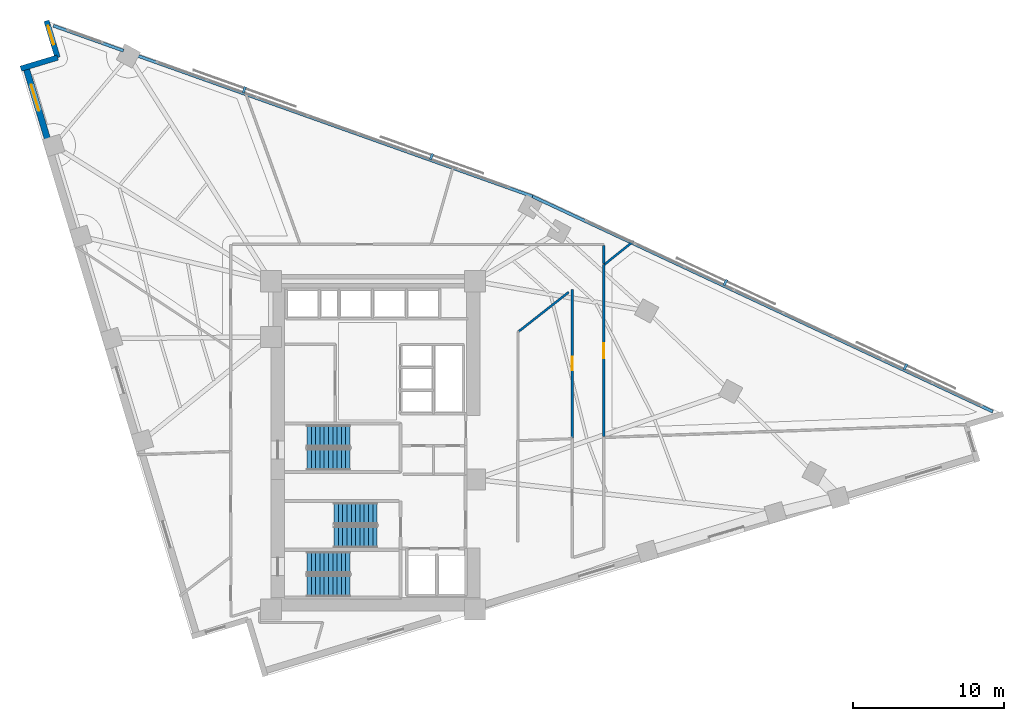
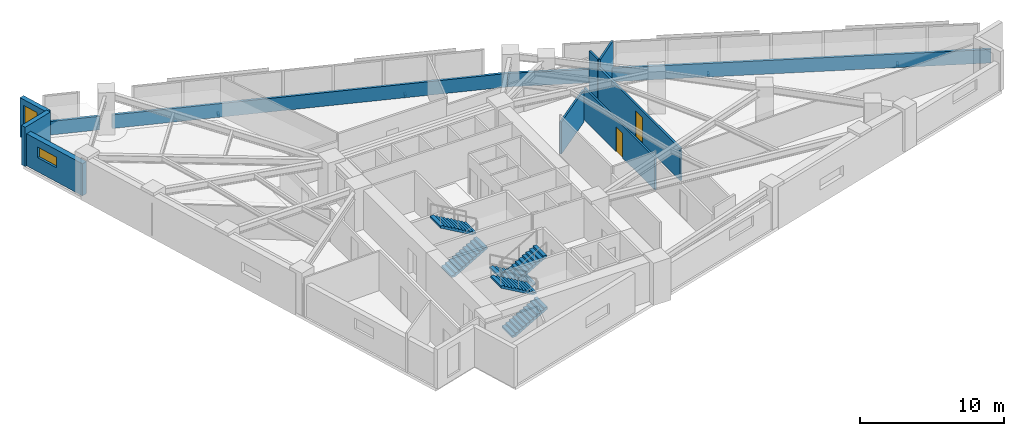
# One storey, part 13 of 15: 11 walls, 6 stair flights, 4 discrete accessories, 2 doors, 2 windows, 4 openings, 3 elements without a shape of their own.
"""IFC4 building model written with IfcOpenShell, lengths in metres."""

import ifcopenshell
import ifcopenshell.guid

model = None  # the IFC model being written
_history = None  # IfcOwnerHistory: only IFC2X3 demands one
_inside = {}  # id of a spatial element -> (the spatial element, [elements in it])
_under = {}  # id of a project, library or spatial element -> (it, [spatial elements below it])
_declared = {}  # id of a project -> (the project, [libraries it declares])
_typed = {}  # id of a type object -> (the type object, [elements of that type])
_made_of = {}  # id of a material, layer set ... -> (it, [elements and type objects made of it])


def new_model(schema):
    """Start an empty IFC model of exactly this schema.

    Asked for "IFC4X3", IfcOpenShell would pick the latest addendum, in which some entities
    have other attributes; the version numbers below select the first issue.
    IFC2X3 requires an IfcOwnerHistory on every rooted entity: one is made here for all.
    """
    global model, _history
    if schema == "IFC4X3":
        model = ifcopenshell.file(schema_version=(4, 3, 0, 0))
    else:
        model = ifcopenshell.file(schema=schema)
    _inside.clear()
    _under.clear()
    _declared.clear()
    _typed.clear()
    _made_of.clear()
    _history = None
    if model.schema == "IFC2X3":
        org = make("IfcOrganization", Name="unknown")
        user = make(
            "IfcPersonAndOrganization",
            ThePerson=make("IfcPerson", FamilyName="unknown"),
            TheOrganization=org,
        )
        app = make(
            "IfcApplication",
            ApplicationDeveloper=org,
            Version="unknown",
            ApplicationFullName="unknown",
            ApplicationIdentifier="unknown",
        )
        _history = make(
            "IfcOwnerHistory",
            OwningUser=user,
            OwningApplication=app,
            ChangeAction="ADDED",
            CreationDate=0,
        )
    return model


def make(cls, **values):
    """One entity of the class cls with the attributes given. An attribute that is None is left unset."""
    return model.create_entity(
        cls, **{name: value for name, value in values.items() if value is not None}
    )


def rooted(cls, **values):
    """An entity with a GlobalId (a new one), such as an element, a storey or a relation."""
    return make(cls, GlobalId=ifcopenshell.guid.new(), OwnerHistory=_history, **values)


def si_unit(unit_type, name, prefix=None):
    """IfcSIUnit, for example si_unit("LENGTHUNIT", "METRE", prefix="MILLI")."""
    return make("IfcSIUnit", UnitType=unit_type, Prefix=prefix, Name=name)


def assignment(units):
    """IfcUnitAssignment: the units of a project."""
    return None if units is None else make("IfcUnitAssignment", Units=units)


def point(xyz):
    """IfcCartesianPoint."""
    return None if xyz is None else make("IfcCartesianPoint", Coordinates=xyz)


def direction(xyz):
    """IfcDirection."""
    return None if xyz is None else make("IfcDirection", DirectionRatios=xyz)


def frame(location, z_axis=None, x_axis=None):
    """IfcAxis2Placement3D, a coordinate frame: its origin and axes. An axis left out is left unset."""
    return make(
        "IfcAxis2Placement3D",
        Location=point(location),
        Axis=direction(z_axis),
        RefDirection=direction(x_axis),
    )


def frame_2d(location, x_axis=None):
    """IfcAxis2Placement2D, a coordinate frame in the plane: its origin and x axis."""
    return make(
        "IfcAxis2Placement2D", Location=point(location), RefDirection=direction(x_axis)
    )


def origin():
    """The frame at (0, 0, 0) with its axes left unset."""
    return frame((0.0, 0.0, 0.0))


def origin_2d():
    """The frame at (0, 0) in the plane with its x axis left unset."""
    return frame_2d((0.0, 0.0))


def place(relative_to, where):
    """IfcLocalPlacement: puts the frame where relative to a parent placement (None: the world)."""
    return make(
        "IfcLocalPlacement", PlacementRelTo=relative_to, RelativePlacement=where
    )


def context(
    kind, dimensions, precision=None, world=None, true_north=None, identifier=None
):
    """IfcGeometricRepresentationContext, for example the 3D "Model" context."""
    return make(
        "IfcGeometricRepresentationContext",
        ContextIdentifier=identifier,
        ContextType=kind,
        CoordinateSpaceDimension=dimensions,
        Precision=precision,
        WorldCoordinateSystem=world,
        TrueNorth=true_north,
    )


def subcontext(parent, identifier, kind, view, scale=None):
    """IfcGeometricRepresentationSubContext, for example "Body" below "Model"."""
    return make(
        "IfcGeometricRepresentationSubContext",
        ContextIdentifier=identifier,
        ContextType=kind,
        ParentContext=parent,
        TargetScale=scale,
        TargetView=view,
    )


def project(units=None, contexts=None):
    """IfcProject with its units and contexts."""
    return rooted(
        "IfcProject",
        Name="project",
        RepresentationContexts=contexts,
        UnitsInContext=assignment(units),
    )


def spatial(cls, under=None, at=None, **own):
    """A site, building, storey or space (cls), placed at a placement, below another one or the project."""
    s = rooted(cls, ObjectPlacement=at, **own)
    if under is not None:
        _under.setdefault(under.id(), (under, []))[1].append(s)
    return s


def polyline(points):
    """IfcPolyline through the points."""
    return make("IfcPolyline", Points=[point(p) for p in points])


def profile(cls, at=None, kind="AREA", **sizes):
    """A parametric profile (cls). Its sizes go by their IFC names, for example OverallWidth=200.0."""
    return make(cls, ProfileType=kind, Position=at, **sizes)


def rectangle(**sizes):
    """IfcRectangleProfileDef."""
    return profile("IfcRectangleProfileDef", **sizes)


def outline(outer, holes=None, kind="AREA"):
    """IfcArbitraryClosedProfileDef: a profile drawn as a closed curve; with holes, ...WithVoids."""
    if holes is None:
        return make("IfcArbitraryClosedProfileDef", ProfileType=kind, OuterCurve=outer)
    return make(
        "IfcArbitraryProfileDefWithVoids",
        ProfileType=kind,
        OuterCurve=outer,
        InnerCurves=holes,
    )


def extrude(swept, where, along, depth):
    """IfcExtrudedAreaSolid: the profile swept, set in the frame where, extruded along a direction by depth."""
    return make(
        "IfcExtrudedAreaSolid",
        SweptArea=swept,
        Position=where,
        ExtrudedDirection=direction(along),
        Depth=depth,
    )


def shape(context_of_items, identifier, shape_type, items):
    """IfcShapeRepresentation: the items that make up one representation, for example the "Body"."""
    return make(
        "IfcShapeRepresentation",
        ContextOfItems=context_of_items,
        RepresentationIdentifier=identifier,
        RepresentationType=shape_type,
        Items=items,
    )


def material(Name=None, Category=None):
    """IfcMaterial."""
    return make("IfcMaterial", Name=Name, Category=Category)


def layer(
    of_material, thickness, ventilated=None, Name=None, Category=None, Priority=None
):
    """IfcMaterialLayer: one layer of a wall or slab, of a material (None: an air gap)."""
    return make(
        "IfcMaterialLayer",
        Material=of_material,
        LayerThickness=thickness,
        IsVentilated=ventilated,
        Name=Name,
        Category=Category,
        Priority=Priority,
    )


def layer_set(layers, Name=None):
    """IfcMaterialLayerSet."""
    return make("IfcMaterialLayerSet", MaterialLayers=layers, LayerSetName=Name)


def made_of(thing, what):
    """Note that an element or type object is made of a material, layer set ...; save() writes the relation."""
    if what is not None:
        _made_of.setdefault(what.id(), (what, []))[1].append(thing)
    return thing


def type_object(cls, material=None, **own):
    """A type object (cls), such as IfcWallType, which elements share."""
    return made_of(rooted(cls, **own), material)


def element(
    cls,
    number,
    at=None,
    inside=None,
    cuts=None,
    type_object=None,
    material=None,
    context=None,
    identifier="Body",
    shape_type=None,
    held_by="IfcProductDefinitionShape",
    body=None,
    shapes=None,
    **own,
):
    """One element of the class cls, such as IfcWall. Its Tag is "e" and its number.

    at: its placement. inside: the storey or other place that contains it. cuts: it is an
    opening in that element (IfcRelVoidsElement). A single representation is given by context,
    identifier, shape_type and body (its items); several are given by shapes. held_by: the class
    of the entity that holds the representations. save() writes the other relations.
    """
    e = rooted(cls, Tag="e%d" % number, ObjectPlacement=at, **own)
    if body is not None:
        shapes = [shape(context, identifier, shape_type, body)]
    if shapes is not None:
        e.Representation = make(held_by, Representations=shapes)
    if inside is not None:
        _inside.setdefault(inside.id(), (inside, []))[1].append(e)
    if cuts is not None:
        rooted(
            "IfcRelVoidsElement", RelatingBuildingElement=cuts, RelatedOpeningElement=e
        )
    if type_object is not None:
        _typed.setdefault(type_object.id(), (type_object, []))[1].append(e)
    return made_of(e, material)


def fill(opening, filler):
    """IfcRelFillsElement: the door or window that sits in an opening."""
    return rooted(
        "IfcRelFillsElement",
        RelatingOpeningElement=opening,
        RelatedBuildingElement=filler,
    )


def aggregate(whole, parts):
    """IfcRelAggregates: a whole, such as a stair, and the parts it consists of."""
    return rooted("IfcRelAggregates", RelatingObject=whole, RelatedObjects=parts)


def save(model, path):
    """Write the relations noted so far, then the file.

    IfcRelAggregates (storeys below a building ...), IfcRelContainedInSpatialStructure (elements
    in a storey), IfcRelDefinesByType, IfcRelAssociatesMaterial and IfcRelDeclares: one each for
    every whole, place, type object, material and project.
    """
    for whole, parts in _under.values():
        aggregate(whole, parts)
    for where, things in _inside.values():
        rooted(
            "IfcRelContainedInSpatialStructure",
            RelatedElements=things,
            RelatingStructure=where,
        )
    for kind, things in _typed.values():
        rooted("IfcRelDefinesByType", RelatedObjects=things, RelatingType=kind)
    for what, things in _made_of.values():
        rooted("IfcRelAssociatesMaterial", RelatedObjects=things, RelatingMaterial=what)
    for by, libraries in _declared.values():
        rooted("IfcRelDeclares", RelatingContext=by, RelatedDefinitions=libraries)
    model.write(path)


model = new_model("IFC4")

# Units and contexts
model_context = context("Model", 3, precision=1e-05, world=origin(), true_north=direction((0.0, 1.0)))
body_context = subcontext(model_context, "Body", "Model", "MODEL_VIEW")
ifc_project = project(units=[si_unit("LENGTHUNIT", "METRE"), si_unit("AREAUNIT", "SQUARE_METRE"), si_unit("VOLUMEUNIT", "CUBIC_METRE"), si_unit("PLANEANGLEUNIT", "RADIAN"), si_unit("MASSUNIT", "GRAM", prefix="KILO")], contexts=[model_context])

# Site, building, storey
site_placement = place(None, origin())
site = spatial("IfcSite", under=ifc_project, at=site_placement, CompositionType="ELEMENT")
building_placement = place(site_placement, origin())
building = spatial("IfcBuilding", under=site, at=building_placement, Name="Narakoshi Arena Tower", CompositionType="ELEMENT")
storey_placement = place(building_placement, frame((0.0, 0.0, 143.10009765625)))
storey = spatial("IfcBuildingStorey", under=building, at=storey_placement, Name="L38", CompositionType="ELEMENT", Elevation=143.10009765625)

# Wall, opening, door
ifc_material_1 = material(Name="Gypsum plasterboard fire-rated partition")
ifc_layer_1 = layer(ifc_material_1, 0.1650390625)
ifc_layer_set_1 = layer_set([ifc_layer_1], Name="Gypsum plasterboard fire-rated partition")
wall_type_1 = type_object("IfcWallType", Name="WL-CORR-165", PredefinedType="PARTITIONING", material=ifc_layer_set_1)
wall_1_placement = place(storey_placement, frame((94.10498046875, 46.1865234375, 0.0), z_axis=(0.0, 0.0, 1.0), x_axis=(0.0, 1.0, 0.0)))
wall_1 = element("IfcWall", 1, at=wall_1_placement, inside=storey, type_object=wall_type_1, Name="L38 Corridor Partition 04-1", PredefinedType="PARTITIONING", context=body_context, shape_type="SweptSolid", body=[
    extrude(rectangle(XDim=11.42041015625, YDim=0.1650390625, at=frame_2d((5.710205078125, 0.0))), origin(), (0.0, 0.0, 1.0), 2.724853515625),
])
opening_1_placement = place(wall_1_placement, frame((5.210205078125, 0.0, 0.0)))
opening_1 = element("IfcOpeningElement", 2, at=opening_1_placement, cuts=wall_1, Name="Opening D-06", PredefinedType="OPENING", context=body_context, shape_type="SweptSolid", body=[
    extrude(rectangle(XDim=1.0, YDim=2.199951171875, at=frame_2d((0.5, 1.10009765625))), frame((0.0, 0.092529296875, 0.0), z_axis=(0.0, -1.0, 0.0), x_axis=(1.0, 0.0, 0.0)), (0.0, 0.0, 1.0), 0.18505859375),
])
ifc_material_2 = material(Name="Stained oak solid-core timber", Category="wood")
door_type_1 = type_object("IfcDoorType", Name="DR-OFF-1000", OperationType="NOTDEFINED", PredefinedType="DOOR", material=ifc_material_2)
door_1_placement = place(opening_1_placement, frame((1.0, 0.0, 0.0), z_axis=(0.0, 0.0, 1.0), x_axis=(-1.0, 0.0, 0.0)))
door_1 = element("IfcDoor", 3, at=door_1_placement, inside=storey, type_object=door_type_1, Name="DR-L38-017", OperationType="SINGLE_SWING_LEFT", OverallHeight=2.199951171875, OverallWidth=1.0, PredefinedType="DOOR", context=body_context, shape_type="SweptSolid", body=[
    extrude(rectangle(XDim=1.0, YDim=2.199951171875, at=frame_2d((0.5, 1.10009765625))), frame((0.0, 0.02490234375, 0.0), z_axis=(0.0, -1.0, 0.0), x_axis=(1.0, 0.0, 0.0)), (0.0, 0.0, 1.0), 0.050048828125),
])
fill(opening_1, door_1)

# Walls
ifc_material_3 = material(Name="Precast concrete C45/55", Category="concrete")
ifc_layer_2 = layer(ifc_material_3, 0.25)
ifc_layer_set_2 = layer_set([ifc_layer_2], Name="Precast concrete C45/55")
wall_type_2 = type_object("IfcWallType", Name="WL-PARA-250", PredefinedType="PARAPET", material=ifc_layer_set_2)
wall_2_placement = place(storey_placement, frame((119.92578125, 47.843017578125, 0.0), z_axis=(0.0, 0.0, 1.0), x_axis=(-0.905880730846, 0.423532881228, 0.0)))
element("IfcWall", 4, at=wall_2_placement, inside=storey, type_object=wall_type_2, Name="L38 Hypotenuse Sill Upstand Parapet 1-01", PredefinedType="PARAPET", context=body_context, shape_type="SweptSolid", body=[
    extrude(rectangle(XDim=33.74755859375, YDim=0.199951171875, at=frame_2d((16.873779296875, 0.0))), origin(), (0.0, 0.0, 1.0), 1.14990234375),
])
wall_3_placement = place(storey_placement, frame((89.368408203125, 62.13037109375, 0.0), z_axis=(0.0, 0.0, 1.0), x_axis=(-0.942033439765, 0.335518998515, 0.0)))
element("IfcWall", 5, at=wall_3_placement, inside=storey, type_object=wall_type_2, Name="L38 Hypotenuse Sill Upstand Parapet 2-01", PredefinedType="PARAPET", context=body_context, shape_type="SweptSolid", body=[
    extrude(rectangle(XDim=27.969482421875, YDim=0.199951171875, at=frame_2d((13.98486328125, 0.0))), origin(), (0.0, 0.0, 1.0), 1.14990234375),
])
wall_4_placement = place(storey_placement, frame((62.2177734375, 71.800537109375, 0.0), z_axis=(0.0, 0.0, 1.0), x_axis=(-0.942038862895, 0.335503771655, 0.0)))
element("IfcWall", 6, at=wall_4_placement, inside=storey, type_object=wall_type_2, Name="L38 Hypotenuse Sill Upstand Parapet 2-02", PredefinedType="PARAPET", context=body_context, shape_type="SweptSolid", body=[
    extrude(rectangle(XDim=4.941650390625, YDim=0.199951171875, at=frame_2d((2.470703125, 0.0))), origin(), (0.0, 0.0, 1.0), 1.14990234375),
])

# Wall, opening, window
ifc_layer_3 = layer(ifc_material_3, 0.419921875)
ifc_layer_set_3 = layer_set([ifc_layer_3], Name="Precast concrete C45/55")
wall_type_3 = type_object("IfcWallType", Name="WL-POD-420", PredefinedType="SOLIDWALL", material=ifc_layer_set_3)
wall_5_placement = place(storey_placement, frame((55.734130859375, 70.71142578125, 0.0), z_axis=(0.0, 0.0, 1.0), x_axis=(0.288221590884, -0.957563739157, 0.0)))
wall_5 = element("IfcWall", 7, at=wall_5_placement, inside=storey, type_object=wall_type_3, Name="L38 Architectural Concrete Facade Wall LEGB-1", PredefinedType="SOLIDWALL", context=body_context, shape_type="SweptSolid", body=[
    extrude(rectangle(XDim=5.510986328125, YDim=0.419921875, at=frame_2d((2.75537109375, 0.0))), origin(), (0.0, 0.0, 1.0), 2.724853515625),
])
opening_2_placement = place(wall_5_placement, frame((1.223388671875, 0.0, 1.199951171875)))
opening_2 = element("IfcOpeningElement", 8, at=opening_2_placement, cuts=wall_5, Name="Opening WN-02", PredefinedType="OPENING", context=body_context, shape_type="SweptSolid", body=[
    extrude(rectangle(XDim=1.800048828125, YDim=0.89990234375, at=frame_2d((0.89990234375, 0.449951171875))), frame((0.0, 0.219970703125, 0.0), z_axis=(0.0, -1.0, 0.0), x_axis=(1.0, 0.0, 0.0)), (0.0, 0.0, 1.0), 0.43994140625),
])
ifc_material_4 = material(Name="Bronze-tinted low-E laminated glass", Category="glass")
window_type_1 = type_object("IfcWindowType", Name="WIN-SLT-18x09", PartitioningType="SINGLE_PANEL", PredefinedType="WINDOW", material=ifc_material_4)
window_1_placement = place(opening_2_placement, origin())
window_1 = element("IfcWindow", 9, at=window_1_placement, inside=storey, type_object=window_type_1, Name="L38 LEGB1 Horizontal Slot Window 1", OverallHeight=0.89990234375, OverallWidth=1.800048828125, PartitioningType="SINGLE_PANEL", PredefinedType="WINDOW", context=body_context, shape_type="SweptSolid", body=[
    extrude(rectangle(XDim=1.800048828125, YDim=0.89990234375, at=frame_2d((0.89990234375, 0.449951171875))), frame((0.0, 0.030029296875, 0.0), z_axis=(0.0, -1.0, 0.0), x_axis=(1.0, 0.0, 0.0)), (0.0, 0.0, 1.0), 0.06005859375),
])
fill(opening_2, window_1)

wall_6_placement = place(storey_placement, frame((57.107666015625, 73.790283203125, 0.0), z_axis=(0.0, 0.0, 1.0), x_axis=(0.288198985694, -0.957570542908, 0.0)))
wall_6 = element("IfcWall", 10, at=wall_6_placement, inside=storey, type_object=wall_type_3, Name="L38 Re-Entrant Corner Notch Wall NTN-1", PredefinedType="SOLIDWALL", context=body_context, shape_type="SweptSolid", body=[
    extrude(rectangle(XDim=2.552490234375, YDim=0.360107421875, at=frame_2d((1.2763671875, 0.0))), origin(), (0.0, 0.0, 1.0), 3.33984375),
])
opening_3_placement = place(wall_6_placement, frame((0.340087890625, 0.0, 0.449951171875)))
opening_3 = element("IfcOpeningElement", 11, at=opening_3_placement, cuts=wall_6, Name="Opening WN-06", PredefinedType="OPENING", context=body_context, shape_type="SweptSolid", body=[
    extrude(rectangle(XDim=1.300048828125, YDim=2.39990234375, at=frame_2d((0.64990234375, 1.199951171875))), frame((0.0, 0.18994140625, 0.0), z_axis=(0.0, -1.0, 0.0), x_axis=(1.0, 0.0, 0.0)), (0.0, 0.0, 1.0), 0.380126953125),
])
window_type_2 = type_object("IfcWindowType", Name="WIN-NTC-16x24", PartitioningType="SINGLE_PANEL", PredefinedType="WINDOW", material=ifc_material_4)
window_2_placement = place(opening_3_placement, origin())
window_2 = element("IfcWindow", 12, at=window_2_placement, inside=storey, type_object=window_type_2, Name="L38 Corner Notch Window NTN", OverallHeight=2.39990234375, OverallWidth=1.300048828125, PartitioningType="SINGLE_PANEL", PredefinedType="WINDOW", context=body_context, shape_type="SweptSolid", body=[
    extrude(rectangle(XDim=1.300048828125, YDim=2.39990234375, at=frame_2d((0.64990234375, 1.199951171875))), frame((0.0, 0.030029296875, 0.0), z_axis=(0.0, -1.0, 0.0), x_axis=(1.0, 0.0, 0.0)), (0.0, 0.0, 1.0), 0.06005859375),
])
fill(opening_3, window_2)

# Walls
wall_7_placement = place(storey_placement, frame((57.84326171875, 71.34619140625, 0.0), z_axis=(0.0, 0.0, 1.0), x_axis=(-0.95757848653, -0.288172590882, 0.0)))
element("IfcWall", 13, at=wall_7_placement, inside=storey, type_object=wall_type_3, Name="L38 Re-Entrant Corner Notch Wall NTN-2", PredefinedType="SOLIDWALL", context=body_context, shape_type="SweptSolid", body=[
    extrude(rectangle(XDim=2.552734375, YDim=0.360107421875, at=frame_2d((1.2763671875, 0.0))), origin(), (0.0, 0.0, 1.0), 3.33984375),
])
ifc_material_5 = material(Name="Moisture-resistant cement-board partition")
ifc_layer_4 = layer(ifc_material_5, 0.14501953125)
ifc_layer_set_4 = layer_set([ifc_layer_4], Name="Moisture-resistant cement-board partition")
wall_type_4 = type_object("IfcWallType", Name="WL-WET-145", PredefinedType="PARTITIONING", material=ifc_layer_set_4)
wall_8_placement = place(storey_placement, frame((94.1416015625, 57.60693359375, 0.0), z_axis=(0.0, 0.0, 1.0), x_axis=(0.77909579135, 0.626904895419, 0.0)))
element("IfcWall", 14, at=wall_8_placement, inside=storey, type_object=wall_type_4, Name="L38 Inter-Room Partition 04-06", PredefinedType="PARTITIONING", context=body_context, shape_type="SweptSolid", body=[
    extrude(rectangle(XDim=2.48974609375, YDim=0.14501953125, at=frame_2d((1.244873046875, 0.0))), origin(), (0.0, 0.0, 1.0), 3.33984375),
])

# Wall, opening, door
wall_9_placement = place(storey_placement, frame((92.0048828125, 55.95751953125, 0.0), z_axis=(0.0, 0.0, 1.0), x_axis=(0.0, -1.0, 0.0)))
wall_9 = element("IfcWall", 15, at=wall_9_placement, inside=storey, type_object=wall_type_4, Name="L38 Corridor Partition 05-1", PredefinedType="PARTITIONING", context=body_context, shape_type="SweptSolid", body=[
    extrude(rectangle(XDim=9.849609375, YDim=0.14501953125, at=frame_2d((4.9248046875, 0.0))), origin(), (0.0, 0.0, 1.0), 2.724853515625),
])
opening_4_placement = place(wall_9_placement, frame((4.474853515625, 0.0, 0.0)))
opening_4 = element("IfcOpeningElement", 16, at=opening_4_placement, cuts=wall_9, Name="Opening D-08", PredefinedType="OPENING", context=body_context, shape_type="SweptSolid", body=[
    extrude(rectangle(XDim=0.89990234375, YDim=2.10009765625, at=frame_2d((0.449951171875, 1.050048828125))), frame((0.0, 0.08251953125, 0.0), z_axis=(0.0, -1.0, 0.0), x_axis=(1.0, 0.0, 0.0)), (0.0, 0.0, 1.0), 0.1650390625),
])
ifc_material_6 = material(Name="Moisture-resistant laminate timber", Category="wood")
door_type_2 = type_object("IfcDoorType", Name="DR-WC-900", OperationType="NOTDEFINED", PredefinedType="DOOR", material=ifc_material_6)
door_2_placement = place(opening_4_placement, frame((0.89990234375, 0.0, 0.0), z_axis=(0.0, 0.0, 1.0), x_axis=(-1.0, 0.0, 0.0)))
door_2 = element("IfcDoor", 17, at=door_2_placement, inside=storey, type_object=door_type_2, Name="DR-L38-018", OperationType="SINGLE_SWING_RIGHT", OverallHeight=2.10009765625, OverallWidth=0.89990234375, PredefinedType="DOOR", context=body_context, shape_type="SweptSolid", body=[
    extrude(rectangle(XDim=0.89990234375, YDim=2.10009765625, at=frame_2d((0.449951171875, 1.050048828125))), frame((0.0, 0.02490234375, 0.0), z_axis=(0.0, -1.0, 0.0), x_axis=(1.0, 0.0, 0.0)), (0.0, 0.0, 1.0), 0.050048828125),
])
fill(opening_4, door_2)

# Walls
wall_10_placement = place(storey_placement, frame((94.10498046875, 57.685791015625, 0.0), z_axis=(0.0, 0.0, 1.0), x_axis=(0.0, 1.0, 0.0)))
element("IfcWall", 18, at=wall_10_placement, inside=storey, type_object=wall_type_4, Name="L38 Corridor Partition 06-2", PredefinedType="PARTITIONING", context=body_context, shape_type="SweptSolid", body=[
    extrude(rectangle(XDim=1.173828125, YDim=0.14501953125, at=frame_2d((0.5869140625, 0.0))), origin(), (0.0, 0.0, 1.0), 3.33984375),
])
wall_11_placement = place(storey_placement, frame((88.4599609375, 53.1728515625, 0.0), z_axis=(0.0, 0.0, 1.0), x_axis=(0.786390736742, 0.61772939801, 0.0)))
element("IfcWall", 19, at=wall_11_placement, inside=storey, type_object=wall_type_4, Name="L38 Room Enclosure Partition 05-1", PredefinedType="PARTITIONING", context=body_context, shape_type="SweptSolid", body=[
    extrude(rectangle(XDim=4.21240234375, YDim=0.14501953125, at=frame_2d((2.106201171875, 0.0))), origin(), (0.0, 0.0, 1.0), 2.724853515625),
])

# Stair, stair flights
ifc_material_7 = material(Name="Concrete C45/55", Category="concrete")
stair_type = type_object("IfcStairType", Name="STR-CORE-360", PredefinedType="TWO_STRAIGHT_RUN_STAIR", material=ifc_material_7)
stair_1_placement = place(storey_placement, origin())
stair_1 = element("IfcStair", 20, at=stair_1_placement, inside=storey, type_object=stair_type, Name="L38 Core Escape Stair ST1", PredefinedType="TWO_STRAIGHT_RUN_STAIR")
stair_flight_type = type_object("IfcStairFlightType", Name="FLT-145-160", PredefinedType="STRAIGHT", material=ifc_material_3)
stair_flight_1_placement = place(storey_placement, frame((74.39990234375, 36.27490234375, 0.0), z_axis=(0.0, 0.0, 1.0), x_axis=(1.0, 0.0, 0.0)))
stair_flight_1 = element("IfcStairFlight", 21, at=stair_flight_1_placement, type_object=stair_flight_type, Name="ST1 flight 1", NumberOfRisers=11, NumberOfTreads=10, PredefinedType="STRAIGHT", RiserHeight=0.163636364, TreadLength=0.285, context=body_context, shape_type="SweptSolid", body=[
    extrude(outline(polyline([(0.0, 0.0), (0.0, 0.16357421875), (0.284912109375, 0.16357421875), (0.284912109375, 0.327392578125), (0.570068359375, 0.327392578125), (0.570068359375, 0.490966796875), (0.85498046875, 0.490966796875), (0.85498046875, 0.654541015625), (1.139892578125, 0.654541015625), (1.139892578125, 0.818115234375), (1.425048828125, 0.818115234375), (1.425048828125, 0.98193359375), (1.7099609375, 0.98193359375), (1.7099609375, 1.1455078125), (1.9951171875, 1.1455078125), (1.9951171875, 1.30908203125), (2.280029296875, 1.30908203125), (2.280029296875, 1.47265625), (2.56494140625, 1.47265625), (2.56494140625, 1.636474609375), (2.85009765625, 1.636474609375), (2.85009765625, 1.800048828125), (2.85009765625, 1.463623046875), (0.301025390625, 0.0), (0.0, 0.0)])), frame((0.0, 0.72509765625, 0.0), z_axis=(0.0, -1.0, 0.0), x_axis=(1.0, 0.0, 0.0)), (0.0, 0.0, 1.0), 1.449951171875),
])
stair_flight_2_placement = place(storey_placement, frame((77.25, 37.824951171875, 1.7998046875), z_axis=(0.0, 0.0, 1.0), x_axis=(-1.0, 0.0, 0.0)))
stair_flight_2 = element("IfcStairFlight", 22, at=stair_flight_2_placement, type_object=stair_flight_type, Name="ST1 flight 2", NumberOfRisers=11, NumberOfTreads=10, PredefinedType="STRAIGHT", RiserHeight=0.163636364, TreadLength=0.285, context=body_context, shape_type="SweptSolid", body=[
    extrude(outline(polyline([(0.0, 0.0), (0.0, 0.16357421875), (0.284912109375, 0.16357421875), (0.284912109375, 0.327392578125), (0.570068359375, 0.327392578125), (0.570068359375, 0.490966796875), (0.85498046875, 0.490966796875), (0.85498046875, 0.654541015625), (1.139892578125, 0.654541015625), (1.139892578125, 0.818115234375), (1.425048828125, 0.818115234375), (1.425048828125, 0.98193359375), (1.7099609375, 0.98193359375), (1.7099609375, 1.1455078125), (1.9951171875, 1.1455078125), (1.9951171875, 1.30908203125), (2.280029296875, 1.30908203125), (2.280029296875, 1.47265625), (2.56494140625, 1.47265625), (2.56494140625, 1.636474609375), (2.85009765625, 1.636474609375), (2.85009765625, 1.800048828125), (2.85009765625, 1.463623046875), (0.301025390625, 0.0), (0.0, 0.0)])), frame((0.0, 0.72509765625, 0.0), z_axis=(0.0, -1.0, 0.0), x_axis=(1.0, 0.0, 0.0)), (0.0, 0.0, 1.0), 1.449951171875),
])
aggregate(stair_1, [stair_flight_1, stair_flight_2])

stair_2_placement = place(storey_placement, origin())
stair_2 = element("IfcStair", 23, at=stair_2_placement, inside=storey, type_object=stair_type, Name="L38 Core Escape Stair ST2", PredefinedType="TWO_STRAIGHT_RUN_STAIR")
stair_flight_3_placement = place(storey_placement, frame((79.050048828125, 41.074951171875, 0.0), z_axis=(0.0, 0.0, 1.0), x_axis=(-1.0, 0.0, 0.0)))
stair_flight_3 = element("IfcStairFlight", 24, at=stair_flight_3_placement, type_object=stair_flight_type, Name="ST2 flight 1", NumberOfRisers=11, NumberOfTreads=10, PredefinedType="STRAIGHT", RiserHeight=0.163636364, TreadLength=0.285, context=body_context, shape_type="SweptSolid", body=[
    extrude(outline(polyline([(0.0, 0.0), (0.0, 0.16357421875), (0.284912109375, 0.16357421875), (0.284912109375, 0.327392578125), (0.570068359375, 0.327392578125), (0.570068359375, 0.490966796875), (0.85498046875, 0.490966796875), (0.85498046875, 0.654541015625), (1.139892578125, 0.654541015625), (1.139892578125, 0.818115234375), (1.425048828125, 0.818115234375), (1.425048828125, 0.98193359375), (1.7099609375, 0.98193359375), (1.7099609375, 1.1455078125), (1.9951171875, 1.1455078125), (1.9951171875, 1.30908203125), (2.280029296875, 1.30908203125), (2.280029296875, 1.47265625), (2.56494140625, 1.47265625), (2.56494140625, 1.636474609375), (2.85009765625, 1.636474609375), (2.85009765625, 1.800048828125), (2.85009765625, 1.463623046875), (0.301025390625, 0.0), (0.0, 0.0)])), frame((0.0, 0.72509765625, 0.0), z_axis=(0.0, -1.0, 0.0), x_axis=(1.0, 0.0, 0.0)), (0.0, 0.0, 1.0), 1.449951171875),
])
stair_flight_4_placement = place(storey_placement, frame((76.199951171875, 39.52490234375, 1.7998046875), z_axis=(0.0, 0.0, 1.0), x_axis=(1.0, 0.0, 0.0)))
stair_flight_4 = element("IfcStairFlight", 25, at=stair_flight_4_placement, type_object=stair_flight_type, Name="ST2 flight 2", NumberOfRisers=11, NumberOfTreads=10, PredefinedType="STRAIGHT", RiserHeight=0.163636364, TreadLength=0.285, context=body_context, shape_type="SweptSolid", body=[
    extrude(outline(polyline([(0.0, 0.0), (0.0, 0.16357421875), (0.284912109375, 0.16357421875), (0.284912109375, 0.327392578125), (0.570068359375, 0.327392578125), (0.570068359375, 0.490966796875), (0.85498046875, 0.490966796875), (0.85498046875, 0.654541015625), (1.139892578125, 0.654541015625), (1.139892578125, 0.818115234375), (1.425048828125, 0.818115234375), (1.425048828125, 0.98193359375), (1.7099609375, 0.98193359375), (1.7099609375, 1.1455078125), (1.9951171875, 1.1455078125), (1.9951171875, 1.30908203125), (2.280029296875, 1.30908203125), (2.280029296875, 1.47265625), (2.56494140625, 1.47265625), (2.56494140625, 1.636474609375), (2.85009765625, 1.636474609375), (2.85009765625, 1.800048828125), (2.85009765625, 1.463623046875), (0.301025390625, 0.0), (0.0, 0.0)])), frame((0.0, 0.72509765625, 0.0), z_axis=(0.0, -1.0, 0.0), x_axis=(1.0, 0.0, 0.0)), (0.0, 0.0, 1.0), 1.449951171875),
])
aggregate(stair_2, [stair_flight_3, stair_flight_4])

stair_3_placement = place(storey_placement, origin())
stair_3 = element("IfcStair", 26, at=stair_3_placement, inside=storey, type_object=stair_type, Name="L38 Core Escape Stair ST3", PredefinedType="TWO_STRAIGHT_RUN_STAIR")
stair_flight_5_placement = place(storey_placement, frame((74.39990234375, 44.675048828125, 0.0), z_axis=(0.0, 0.0, 1.0), x_axis=(1.0, 0.0, 0.0)))
stair_flight_5 = element("IfcStairFlight", 27, at=stair_flight_5_placement, type_object=stair_flight_type, Name="ST3 flight 1", NumberOfRisers=11, NumberOfTreads=10, PredefinedType="STRAIGHT", RiserHeight=0.163636364, TreadLength=0.285, context=body_context, shape_type="SweptSolid", body=[
    extrude(outline(polyline([(0.0, 0.0), (0.0, 0.16357421875), (0.284912109375, 0.16357421875), (0.284912109375, 0.327392578125), (0.570068359375, 0.327392578125), (0.570068359375, 0.490966796875), (0.85498046875, 0.490966796875), (0.85498046875, 0.654541015625), (1.139892578125, 0.654541015625), (1.139892578125, 0.818115234375), (1.425048828125, 0.818115234375), (1.425048828125, 0.98193359375), (1.7099609375, 0.98193359375), (1.7099609375, 1.1455078125), (1.9951171875, 1.1455078125), (1.9951171875, 1.30908203125), (2.280029296875, 1.30908203125), (2.280029296875, 1.47265625), (2.56494140625, 1.47265625), (2.56494140625, 1.636474609375), (2.85009765625, 1.636474609375), (2.85009765625, 1.800048828125), (2.85009765625, 1.463623046875), (0.301025390625, 0.0), (0.0, 0.0)])), frame((0.0, 0.72509765625, 0.0), z_axis=(0.0, -1.0, 0.0), x_axis=(1.0, 0.0, 0.0)), (0.0, 0.0, 1.0), 1.449951171875),
])
stair_flight_6_placement = place(storey_placement, frame((77.25, 46.22509765625, 1.7998046875), z_axis=(0.0, 0.0, 1.0), x_axis=(-1.0, 0.0, 0.0)))
stair_flight_6 = element("IfcStairFlight", 28, at=stair_flight_6_placement, type_object=stair_flight_type, Name="ST3 flight 2", NumberOfRisers=11, NumberOfTreads=10, PredefinedType="STRAIGHT", RiserHeight=0.163636364, TreadLength=0.285, context=body_context, shape_type="SweptSolid", body=[
    extrude(outline(polyline([(0.0, 0.0), (0.0, 0.16357421875), (0.284912109375, 0.16357421875), (0.284912109375, 0.327392578125), (0.570068359375, 0.327392578125), (0.570068359375, 0.490966796875), (0.85498046875, 0.490966796875), (0.85498046875, 0.654541015625), (1.139892578125, 0.654541015625), (1.139892578125, 0.818115234375), (1.425048828125, 0.818115234375), (1.425048828125, 0.98193359375), (1.7099609375, 0.98193359375), (1.7099609375, 1.1455078125), (1.9951171875, 1.1455078125), (1.9951171875, 1.30908203125), (2.280029296875, 1.30908203125), (2.280029296875, 1.47265625), (2.56494140625, 1.47265625), (2.56494140625, 1.636474609375), (2.85009765625, 1.636474609375), (2.85009765625, 1.800048828125), (2.85009765625, 1.463623046875), (0.301025390625, 0.0), (0.0, 0.0)])), frame((0.0, 0.72509765625, 0.0), z_axis=(0.0, -1.0, 0.0), x_axis=(1.0, 0.0, 0.0)), (0.0, 0.0, 1.0), 1.449951171875),
])
aggregate(stair_3, [stair_flight_5, stair_flight_6])

# Discrete accessories
ifc_material_8 = material(Name="Structural steel S355J2", Category="steel")
discrete_accessory_type = type_object("IfcDiscreteAccessoryType", Name="ACC-BRK-SCR", PredefinedType="BRACKET", material=ifc_material_8)
for number, where, z_axis, x_axis, name in (
    (29, (114.129150390625, 50.818115234375, -0.080078125), (0.0, 0.0, 1.0), (-0.9058795101, 0.423535492234, 0.0), "L38 Solar Screen Support Bracket SHD-L38-SCR1-1"),
    (30, (102.17138671875, 56.40869140625, -0.080078125), (0.0, 0.0, 1.0), (-0.9058795101, 0.423535492234, 0.0), "L38 Solar Screen Support Bracket SHD-L38-SCR1-2"),
    (31, (82.66650390625, 64.772216796875, -0.080078125), (0.0, 0.0, 1.0), (-0.942034031554, 0.33551733695, 0.0), "L38 Solar Screen Support Bracket SHD-L38-SCR2-1"),
    (32, (70.231689453125, 69.200927734375, -0.080078125), (0.0, 0.0, 1.0), (-0.942034031554, 0.33551733695, 0.0), "L38 Solar Screen Support Bracket SHD-L38-SCR2-2"),
):
    element("IfcDiscreteAccessory", number, at=place(storey_placement, frame(where, z_axis=z_axis, x_axis=x_axis)), inside=storey, type_object=discrete_accessory_type, Name=name, PredefinedType="BRACKET", context=body_context, shape_type="SweptSolid", body=[
        extrude(rectangle(XDim=0.159912109375, YDim=0.425048828125, at=origin_2d()), origin(), (0.0, 0.0, 1.0), 0.199951171875),
    ])

save(model, "model.ifc")
